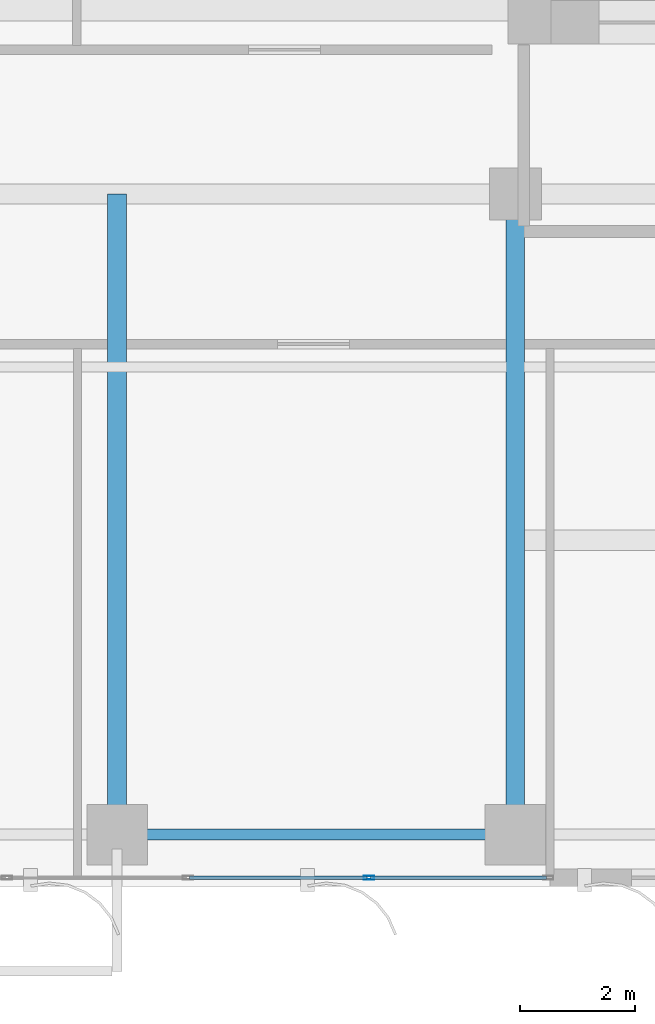
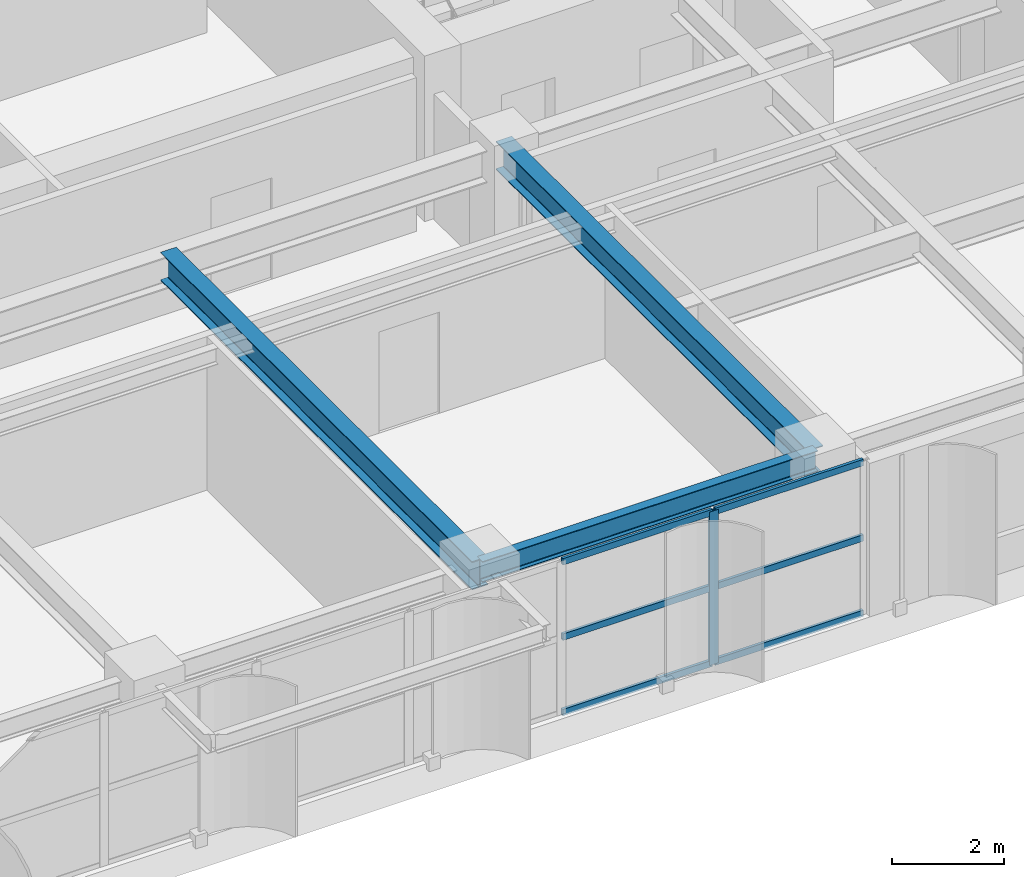
# One storey, part 5 of 23: 7 members, 3 beams, 1 element without a shape of its own.
"""IFC4 building model written with IfcOpenShell, lengths in metres."""

from ifc_helpers import new_model, si_unit, direction, frame, origin, origin_2d, place, context, subcontext, project, spatial, hollow_rectangle, i_section, extrude, source, transform, mapped, material, layer, layer_set, material_profile, profile_set, type_object, element, aggregate, save


model = new_model("IFC4")

# Units and contexts
model_context = context("Model", 3, precision=1e-05, world=origin(), true_north=direction((0.0, 1.0)))
body_context = subcontext(model_context, "Body", "Model", "MODEL_VIEW")
ifc_project = project(units=[si_unit("LENGTHUNIT", "METRE"), si_unit("AREAUNIT", "SQUARE_METRE"), si_unit("VOLUMEUNIT", "CUBIC_METRE"), si_unit("PLANEANGLEUNIT", "RADIAN"), si_unit("MASSUNIT", "GRAM", prefix="KILO")], contexts=[model_context])

# Site, building, storey
site_placement = place(None, origin())
site = spatial("IfcSite", under=ifc_project, at=site_placement, CompositionType="ELEMENT")
building_placement = place(site_placement, origin())
building = spatial("IfcBuilding", under=site, at=building_placement, Name="Khoralis Quay Care Tower", CompositionType="ELEMENT")
storey_placement = place(building_placement, frame((0.0, 0.0, 83.699951171875)))
storey = spatial("IfcBuildingStorey", under=building, at=storey_placement, Name="L21", CompositionType="ELEMENT", Elevation=83.699951171875)

# Beams
ifc_material_1 = material(Name="Steel S355", Category="steel")
ifc_material_profile_1 = material_profile(ifc_material_1, i_section(OverallWidth=0.18994140625, OverallDepth=0.449951171875, WebThickness=0.009521484375, FlangeThickness=0.0146484375, FilletRadius=0.02099609375, at=origin_2d()), Name="Steel S355")
ifc_profile_set_1 = profile_set([ifc_material_profile_1], Name="Steel S355")
beam_type_1 = type_object("IfcBeamType", Name="BM-IPE450", PredefinedType="SPANDREL", material=ifc_profile_set_1)
shared_shape_1 = source(origin(), body_context, "Body", "SweptSolid", [
    extrude(i_section(OverallWidth=0.18994140625, OverallDepth=0.449951171875, WebThickness=0.009521484375, FlangeThickness=0.0146484375, FilletRadius=0.02099609375, at=origin_2d()), origin(), (0.0, 0.0, 1.0), 6.89990234375),
])
beam_placement = place(storey_placement, frame((24.0, 0.89990234375, 3.114990234375), z_axis=(1.0, 0.0, 0.0), x_axis=(0.0, 1.0, 0.0)))
element("IfcBeam", 1, at=beam_placement, inside=storey, type_object=beam_type_1, Name="BM-TSP-L21-04", PredefinedType="SPANDREL", context=body_context, shape_type="MappedRepresentation", body=[
    mapped(shared_shape_1, transform((0.0, 0.0, 0.0), scale=1.0)),
])
ifc_material_profile_2 = material_profile(ifc_material_1, i_section(OverallWidth=0.324951171875, OverallDepth=0.615966796875, WebThickness=0.013916015625, FlangeThickness=0.021484375, FilletRadius=0.01806640625, at=origin_2d()), Name="Steel S355")
ifc_profile_set_2 = profile_set([ifc_material_profile_2], Name="Steel S355")
beam_type_2 = type_object("IfcBeamType", Name="BM-W610X174", PredefinedType="BEAM", material=ifc_profile_set_2)
shared_shape_2 = source(origin(), body_context, "Body", "SweptSolid", [
    extrude(i_section(OverallWidth=0.324951171875, OverallDepth=0.615966796875, WebThickness=0.013916015625, FlangeThickness=0.021484375, FilletRadius=0.01806640625, at=origin_2d()), origin(), (0.0, 0.0, 1.0), 11.10009765625),
])
for number, where, z_axis, x_axis, name in (
    (2, (24.0, 0.89990234375, 3.031982421875), (0.0, 1.0, 0.0), (-1.0, 0.0, 0.0), "BM-TGYS-L21-240"),
    (3, (30.89990234375, 0.89990234375, 3.031982421875), (0.0, 1.0, 0.0), (-1.0, 0.0, 0.0), "BM-TGYS-L21-309"),
):
    element("IfcBeam", number, at=place(storey_placement, frame(where, z_axis=z_axis, x_axis=x_axis)), inside=storey, type_object=beam_type_2, Name=name, PredefinedType="BEAM", context=body_context, shape_type="MappedRepresentation", body=[
        mapped(shared_shape_2, transform((0.0, 0.0, 0.0), scale=1.0)),
    ])

# Curtain wall, members
ifc_material_2 = material(Name="Pale anodised aluminium", Category="aluminium")
ifc_layer = layer(ifc_material_2, 0.169921875)
ifc_layer_set = layer_set([ifc_layer], Name="Pale anodised aluminium")
curtain_wall_type = type_object("IfcCurtainWallType", Name="CW-SYS-Z2", PredefinedType="NOTDEFINED", material=ifc_layer_set)
curtain_wall_placement = place(storey_placement, origin())
curtain_wall = element("IfcCurtainWall", 4, at=curtain_wall_placement, inside=storey, type_object=curtain_wall_type, Name="L21 Unitised Curtain Wall CW-L21-P1-E0", PredefinedType="NOTDEFINED")
ifc_material_profile_3 = material_profile(ifc_material_2, hollow_rectangle(XDim=0.06494140625, YDim=0.179931640625, WallThickness=0.00390625, at=origin_2d()), Name="Pale anodised aluminium")
ifc_profile_set_3 = profile_set([ifc_material_profile_3], Name="Pale anodised aluminium")
member_type_1 = type_object("IfcMemberType", Name="CW-MUL-180", PredefinedType="MULLION", material=ifc_profile_set_3)
shared_shape_3 = source(origin(), body_context, "Body", "SweptSolid", [
    extrude(hollow_rectangle(XDim=0.06494140625, YDim=0.179931640625, WallThickness=0.00390625, at=origin_2d()), origin(), (0.0, 0.0, 1.0), 3.340087890625),
])
member_1_placement = place(storey_placement, frame((28.36328125, 0.14990234375, 0.0), z_axis=(0.0, 0.0, 1.0), x_axis=(0.0, 1.0, 0.0)))
member_1 = element("IfcMember", 5, at=member_1_placement, type_object=member_type_1, Name="CW2 mullion 6", PredefinedType="MULLION", context=body_context, shape_type="MappedRepresentation", body=[
    mapped(shared_shape_3, transform((0.0, 0.0, 0.0), scale=1.0)),
])
ifc_material_profile_4 = material_profile(ifc_material_2, hollow_rectangle(XDim=0.06005859375, YDim=0.139892578125, WallThickness=0.00390625, at=origin_2d()), Name="Pale anodised aluminium")
ifc_profile_set_4 = profile_set([ifc_material_profile_4], Name="Pale anodised aluminium")
member_type_2 = type_object("IfcMemberType", Name="CW-TRN-140", PredefinedType="USERDEFINED", material=ifc_profile_set_4)
shared_shape_4 = source(origin(), body_context, "Body", "SweptSolid", [
    extrude(hollow_rectangle(XDim=0.06005859375, YDim=0.139892578125, WallThickness=0.00390625, at=origin_2d()), origin(), (0.0, 0.0, 1.0), 3.046630859375),
])
member_2_placement = place(storey_placement, frame((28.393310546875, 0.14990234375, 0.030029296875), z_axis=(1.0, 0.0, 0.0), x_axis=(0.0, 1.0, 0.0)))
member_2 = element("IfcMember", 6, at=member_2_placement, type_object=member_type_2, Name="CW2 transom 6.1", ObjectType="TRANSOM", PredefinedType="USERDEFINED", context=body_context, shape_type="MappedRepresentation", body=[
    mapped(shared_shape_4, transform((0.0, 0.0, 0.0), scale=1.0)),
])
member_3_placement = place(storey_placement, frame((28.393310546875, 0.14990234375, 1.670166015625), z_axis=(1.0, 0.0, 0.0), x_axis=(0.0, 1.0, 0.0)))
member_3 = element("IfcMember", 7, at=member_3_placement, type_object=member_type_2, Name="CW2 transom 6.2", ObjectType="TRANSOM", PredefinedType="USERDEFINED", context=body_context, shape_type="MappedRepresentation", body=[
    mapped(shared_shape_4, transform((0.0, 0.0, 0.0), scale=1.0)),
])
member_4_placement = place(storey_placement, frame((28.393310546875, 0.14990234375, 3.31005859375), z_axis=(1.0, 0.0, 0.0), x_axis=(0.0, 1.0, 0.0)))
member_4 = element("IfcMember", 8, at=member_4_placement, type_object=member_type_2, Name="CW2 transom 6.3", ObjectType="TRANSOM", PredefinedType="USERDEFINED", context=body_context, shape_type="MappedRepresentation", body=[
    mapped(shared_shape_4, transform((0.0, 0.0, 0.0), scale=1.0)),
])
shared_shape_5 = source(origin(), body_context, "Body", "SweptSolid", [
    extrude(hollow_rectangle(XDim=0.06005859375, YDim=0.139892578125, WallThickness=0.00390625, at=origin_2d()), origin(), (0.0, 0.0, 1.0), 3.07666015625),
])
member_5_placement = place(storey_placement, frame((25.256591796875, 0.14990234375, 0.030029296875), z_axis=(1.0, 0.0, 0.0), x_axis=(0.0, 1.0, 0.0)))
member_5 = element("IfcMember", 9, at=member_5_placement, type_object=member_type_2, Name="CW2 transom 5.1", ObjectType="TRANSOM", PredefinedType="USERDEFINED", context=body_context, shape_type="MappedRepresentation", body=[
    mapped(shared_shape_5, transform((0.0, 0.0, 0.0), scale=1.0)),
])
member_6_placement = place(storey_placement, frame((25.256591796875, 0.14990234375, 1.670166015625), z_axis=(1.0, 0.0, 0.0), x_axis=(0.0, 1.0, 0.0)))
member_6 = element("IfcMember", 10, at=member_6_placement, type_object=member_type_2, Name="CW2 transom 5.2", ObjectType="TRANSOM", PredefinedType="USERDEFINED", context=body_context, shape_type="MappedRepresentation", body=[
    mapped(shared_shape_5, transform((0.0, 0.0, 0.0), scale=1.0)),
])
member_7_placement = place(storey_placement, frame((25.256591796875, 0.14990234375, 3.31005859375), z_axis=(1.0, 0.0, 0.0), x_axis=(0.0, 1.0, 0.0)))
member_7 = element("IfcMember", 11, at=member_7_placement, type_object=member_type_2, Name="CW2 transom 5.3", ObjectType="TRANSOM", PredefinedType="USERDEFINED", context=body_context, shape_type="MappedRepresentation", body=[
    mapped(shared_shape_5, transform((0.0, 0.0, 0.0), scale=1.0)),
])
aggregate(curtain_wall, [member_1, member_5, member_6, member_7, member_2, member_3, member_4])

save(model, "model.ifc")
